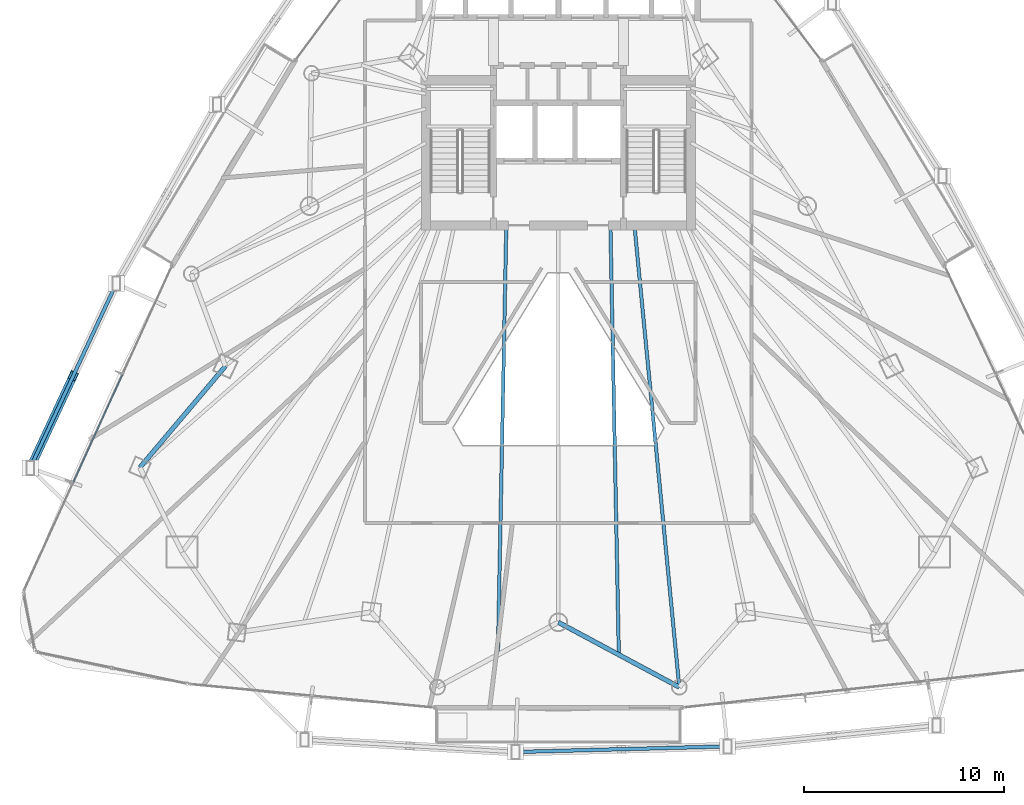
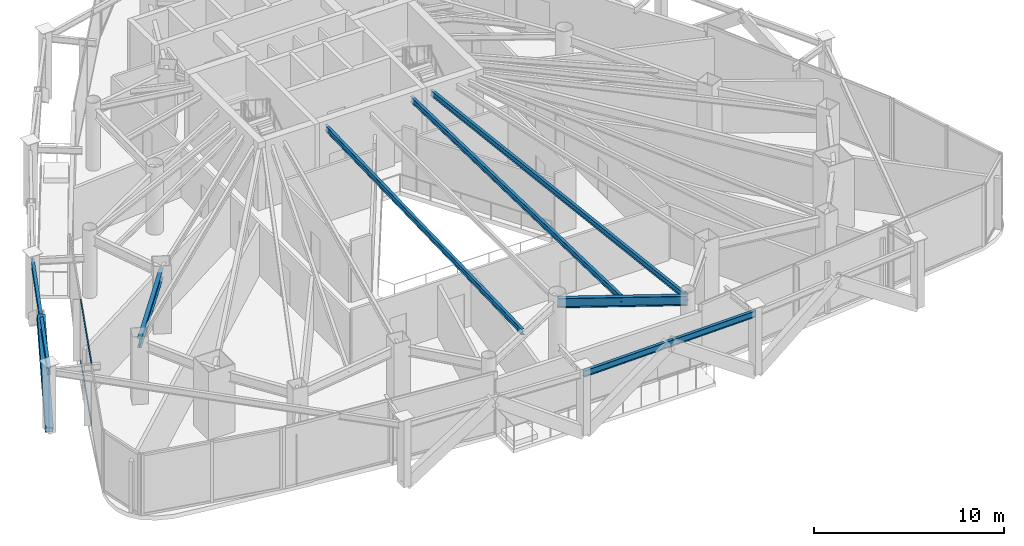
# One storey, part 7 of 33: 7 beams, 3 members, 1 element without a shape of its own.
"""IFC4 building model written with IfcOpenShell, lengths in metres."""

from ifc_helpers import new_model, si_unit, direction, frame, origin, origin_2d, place, context, subcontext, project, spatial, hollow_rectangle, i_section, extrude, material, layer, layer_set, material_profile, profile_set, type_object, element, aggregate, save


model = new_model("IFC4")

# Units and contexts
model_context = context("Model", 3, precision=1e-05, world=origin(), true_north=direction((0.0, 1.0)))
body_context = subcontext(model_context, "Body", "Model", "MODEL_VIEW")
ifc_project = project(units=[si_unit("LENGTHUNIT", "METRE"), si_unit("AREAUNIT", "SQUARE_METRE"), si_unit("VOLUMEUNIT", "CUBIC_METRE"), si_unit("PLANEANGLEUNIT", "RADIAN"), si_unit("MASSUNIT", "GRAM", prefix="KILO")], contexts=[model_context])

# Site, building, storey
site_placement = place(None, origin())
site = spatial("IfcSite", under=ifc_project, at=site_placement, CompositionType="ELEMENT")
building_placement = place(site_placement, origin())
building = spatial("IfcBuilding", under=site, at=building_placement, Name="Orvanel Arch Residences", CompositionType="ELEMENT")
storey_placement = place(building_placement, frame((0.0, 0.0, 97.25)))
storey = spatial("IfcBuildingStorey", under=building, at=storey_placement, Name="L27", CompositionType="ELEMENT", Elevation=97.25)

# Beams
ifc_material_1 = material(Name="Structural steel AS/NZS 3679.1 Grade 300 (300 MPa)", Category="steel")
ifc_material_profile_1 = material_profile(ifc_material_1, i_section(OverallWidth=0.1708984375, OverallDepth=0.35595703125, WebThickness=0.00732421875, FlangeThickness=0.011474609375, at=origin_2d()), Name="360UB50.7")
ifc_profile_set_1 = profile_set([ifc_material_profile_1], Name="Structural steel AS/NZS 3679.1 Grade 300 (300 MPa)")
beam_type_1 = type_object("IfcBeamType", Name="BJ-360UB", PredefinedType="JOIST", material=ifc_profile_set_1)
for number, where, z_axis, x_axis, name in (
    (1, (30.39990234375, 26.675048828125, 3.77197265625), (-0.019617680075, -0.999807554797, 0.0), (0.999807554797, -0.019617680075, 0.0), "L27 WSW2 Wing Floor Joist"),
    (2, (35.60009765625, 26.675048828125, 3.77197265625), (0.019617680075, -0.999807554797, 0.0), (0.999807554797, 0.019617680075, 0.0), "L27 ESE2 Wing Floor Joist"),
):
    element("IfcBeam", number, at=place(storey_placement, frame(where, z_axis=z_axis, x_axis=x_axis)), inside=storey, type_object=beam_type_1, Name=name, PredefinedType="JOIST", context=body_context, shape_type="SweptSolid", body=[
        extrude(i_section(OverallWidth=0.1708984375, OverallDepth=0.35595703125, WebThickness=0.00732421875, FlangeThickness=0.011474609375, at=origin_2d()), origin(), (0.0, 0.0, 1.0), 21.455078125),
    ])
beam_1_placement = place(storey_placement, frame((36.800048828125, 26.675048828125, 3.77197265625), z_axis=(0.096724091756, -0.995311232768, 0.0), x_axis=(0.995311232768, 0.096724091756, 0.0)))
element("IfcBeam", 3, at=beam_1_placement, inside=storey, type_object=beam_type_1, Name="L27 LSE Wing Floor Joist", PredefinedType="JOIST", context=body_context, shape_type="SweptSolid", body=[
    extrude(i_section(OverallWidth=0.1708984375, OverallDepth=0.35595703125, WebThickness=0.00732421875, FlangeThickness=0.011474609375, at=origin_2d()), origin(), (0.0, 0.0, 1.0), 23.1787109375),
])

# Member
ifc_material_2 = material(Name="Structural steel AS/NZS 3678 Grade 350", Category="steel")
ifc_material_profile_2 = material_profile(ifc_material_2, hollow_rectangle(XDim=0.419921875, YDim=0.719970703125, WallThickness=0.02490234375, at=origin_2d()), Name="RHS720x420x25")
ifc_profile_set_2 = profile_set([ifc_material_profile_2], Name="Structural steel AS/NZS 3678 Grade 350")
member_type_1 = type_object("IfcMemberType", Name="BR-720RHS-EXT", PredefinedType="BRACE", material=ifc_profile_set_2)
member_1_placement = place(storey_placement, frame((6.615966796875, 14.556884765625, 0.0), z_axis=(0.340304981362, 0.729440363936, 0.593387963411), x_axis=(-0.906230991487, 0.422782911277, 0.0)))
element("IfcMember", 4, at=member_1_placement, inside=storey, type_object=member_type_1, Name="L27 Exterior Sky-Garden V-Frame Chevron F1B3.2", PredefinedType="BRACE", context=body_context, shape_type="SweptSolid", body=[
    extrude(hollow_rectangle(XDim=0.419921875, YDim=0.719970703125, WallThickness=0.02490234375, at=origin_2d()), origin(), (0.0, 0.0, 1.0), 6.314697265625),
])

# Beams
ifc_material_profile_3 = material_profile(ifc_material_1, i_section(OverallWidth=0.177978515625, OverallDepth=0.406005859375, WebThickness=0.0078125, FlangeThickness=0.0126953125, at=origin_2d()), Name="410UB59.7")
ifc_profile_set_3 = profile_set([ifc_material_profile_3], Name="Structural steel AS/NZS 3679.1 Grade 300 (300 MPa)")
beam_type_2 = type_object("IfcBeamType", Name="OB-410UB-EXT", PredefinedType="SPANDREL", material=ifc_profile_set_3)
beam_2_placement = place(storey_placement, frame((10.9140625, 23.76806640625, 3.7470703125), z_axis=(-0.422848648046, -0.906200320484, 0.0), x_axis=(0.906200320484, -0.422848648046, 0.0)))
element("IfcBeam", 5, at=beam_2_placement, inside=storey, type_object=beam_type_2, Name="L27 Outer Perimeter Floor Ring Beam 03", PredefinedType="SPANDREL", context=body_context, shape_type="SweptSolid", body=[
    extrude(i_section(OverallWidth=0.177978515625, OverallDepth=0.406005859375, WebThickness=0.0078125, FlangeThickness=0.0126953125, at=origin_2d()), origin(), (0.0, 0.0, 1.0), 10.16455078125),
])
beam_3_placement = place(storey_placement, frame((30.85888671875, 0.364990234375, 3.7470703125), z_axis=(0.999650449228, 0.026438217742, 0.0), x_axis=(-0.026438217742, 0.999650449228, 0.0)))
element("IfcBeam", 6, at=beam_3_placement, inside=storey, type_object=beam_type_2, Name="L27 Outer Perimeter Floor Ring Beam 06", PredefinedType="SPANDREL", context=body_context, shape_type="SweptSolid", body=[
    extrude(i_section(OverallWidth=0.177978515625, OverallDepth=0.406005859375, WebThickness=0.0078125, FlangeThickness=0.0126953125, at=origin_2d()), origin(), (0.0, 0.0, 1.0), 10.591796875),
])
ifc_material_profile_4 = material_profile(ifc_material_1, i_section(OverallWidth=0.22900390625, OverallDepth=0.612060546875, WebThickness=0.011962890625, FlangeThickness=0.01953125, at=origin_2d()), Name="610UB125")
ifc_profile_set_4 = profile_set([ifc_material_profile_4], Name="Structural steel AS/NZS 3679.1 Grade 300 (300 MPa)")
beam_type_3 = type_object("IfcBeamType", Name="SP-610UB", PredefinedType="SPANDREL", material=ifc_profile_set_4)
beam_4_placement = place(storey_placement, frame((16.366943359375, 19.64208984375, 3.64404296875), z_axis=(-0.644950329775, -0.764224490659, 0.0), x_axis=(0.764224490659, -0.644950329775, 0.0)))
element("IfcBeam", 7, at=beam_4_placement, inside=storey, type_object=beam_type_3, Name="L27 Perimeter Spandrel Beam 01", PredefinedType="SPANDREL", context=body_context, shape_type="SweptSolid", body=[
    extrude(i_section(OverallWidth=0.22900390625, OverallDepth=0.612060546875, WebThickness=0.011962890625, FlangeThickness=0.01953125, at=origin_2d()), origin(), (0.0, 0.0, 1.0), 6.623779296875),
])
beam_5_placement = place(storey_placement, frame((33.0, 6.843994140625, 3.64404296875), z_axis=(0.881344400551, -0.472474388319, 0.0), x_axis=(0.472474388319, 0.881344400551, 0.0)))
element("IfcBeam", 8, at=beam_5_placement, inside=storey, type_object=beam_type_3, Name="L27 Perimeter Spandrel Beam 07", PredefinedType="SPANDREL", context=body_context, shape_type="SweptSolid", body=[
    extrude(i_section(OverallWidth=0.22900390625, OverallDepth=0.612060546875, WebThickness=0.011962890625, FlangeThickness=0.01953125, at=origin_2d()), origin(), (0.0, 0.0, 1.0), 6.85546875),
])

# Curtain wall, members
ifc_material_3 = material(Name="Bronze-anodised aluminium AA6063-T6", Category="aluminium")
ifc_layer = layer(ifc_material_3, 0.195068359375)
ifc_layer_set = layer_set([ifc_layer], Name="Bronze-anodised aluminium AA6063-T6")
curtain_wall_type = type_object("IfcCurtainWallType", Name="CW6-COM-SYS", PredefinedType="NOTDEFINED", material=ifc_layer_set)
curtain_wall_placement = place(storey_placement, origin())
curtain_wall = element("IfcCurtainWall", 9, at=curtain_wall_placement, inside=storey, type_object=curtain_wall_type, Name="L27 CW6-COM-SYS Unitised Curtain Wall", PredefinedType="NOTDEFINED")
ifc_material_profile_5 = material_profile(ifc_material_3, hollow_rectangle(XDim=0.06494140625, YDim=0.14990234375, WallThickness=0.00390625, at=origin_2d()), Name="ALU150x65x4")
ifc_profile_set_5 = profile_set([ifc_material_profile_5], Name="Bronze-anodised aluminium AA6063-T6")
member_type_2 = type_object("IfcMemberType", Name="TRN-150x65", PredefinedType="USERDEFINED", material=ifc_profile_set_5)
member_2_placement = place(storey_placement, frame((11.21435546875, 19.20166015625, 0.032470703125), z_axis=(-0.414744336804, -0.909937984199, 0.0), x_axis=(0.909937984199, -0.414744336804, 0.0)))
member_2 = element("IfcMember", 10, at=member_2_placement, type_object=member_type_2, Name="CW-S6 transom 2.1", ObjectType="TRANSOM", PredefinedType="USERDEFINED", context=body_context, shape_type="SweptSolid", body=[
    extrude(hollow_rectangle(XDim=0.06494140625, YDim=0.14990234375, WallThickness=0.00390625, at=origin_2d()), origin(), (0.0, 0.0, 1.0), 5.8994140625),
])
member_3_placement = place(storey_placement, frame((11.21435546875, 19.20166015625, 3.91748046875), z_axis=(-0.414744336804, -0.909937984199, 0.0), x_axis=(0.909937984199, -0.414744336804, 0.0)))
member_3 = element("IfcMember", 11, at=member_3_placement, type_object=member_type_2, Name="CW-S6 transom 2.2", ObjectType="TRANSOM", PredefinedType="USERDEFINED", context=body_context, shape_type="SweptSolid", body=[
    extrude(hollow_rectangle(XDim=0.06494140625, YDim=0.14990234375, WallThickness=0.00390625, at=origin_2d()), origin(), (0.0, 0.0, 1.0), 5.8994140625),
])
aggregate(curtain_wall, [member_2, member_3])

save(model, "model.ifc")
